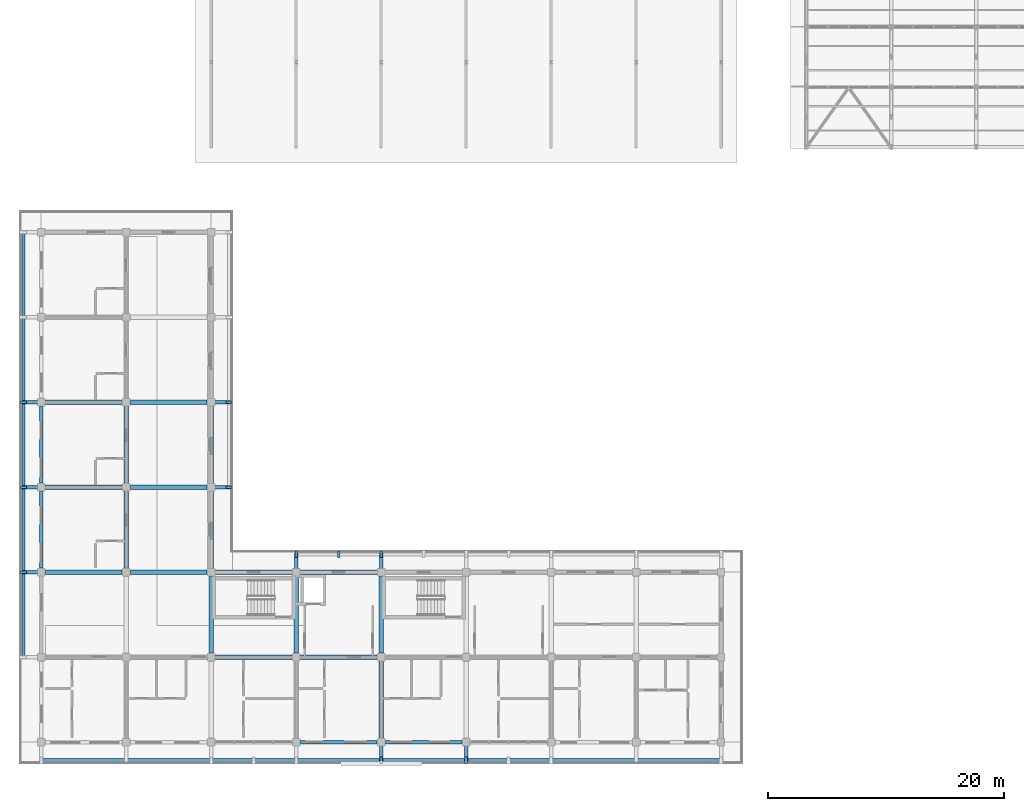
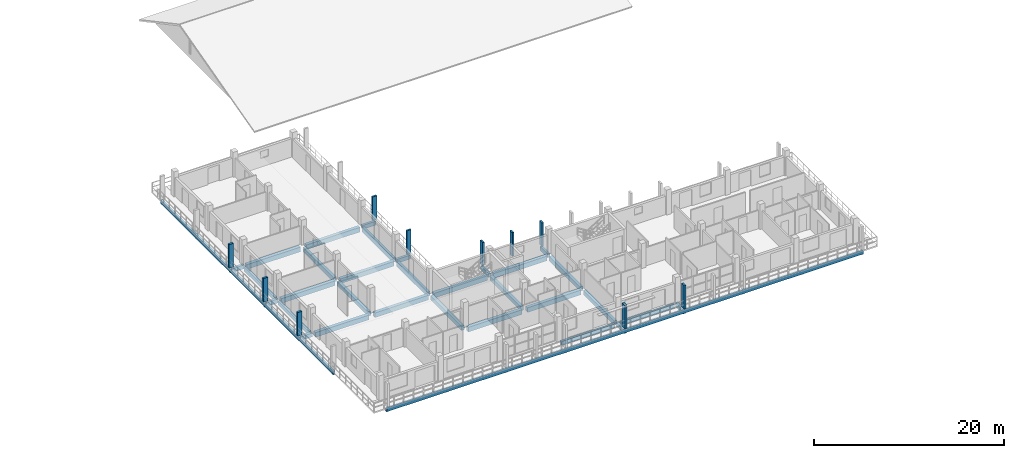
# One storey, part 19 of 157: 33 beams, 10 members.
"""IFC4 building model written with IfcOpenShell, lengths in metres."""

from ifc_helpers import new_model, si_unit, direction, frame, origin, origin_2d, place, context, subcontext, project, spatial, rectangle, extrude, material, material_profile, profile_set, type_object, element, save


model = new_model("IFC4")

# Units and contexts
model_context = context("Model", 3, precision=1e-05, world=origin(), true_north=direction((0.0, 1.0)))
body_context = subcontext(model_context, "Body", "Model", "MODEL_VIEW")
ifc_project = project(units=[si_unit("LENGTHUNIT", "METRE"), si_unit("AREAUNIT", "SQUARE_METRE"), si_unit("VOLUMEUNIT", "CUBIC_METRE"), si_unit("PLANEANGLEUNIT", "RADIAN"), si_unit("MASSUNIT", "GRAM", prefix="KILO")], contexts=[model_context])

# Site, building, storey
site_placement = place(None, origin())
site = spatial("IfcSite", under=ifc_project, at=site_placement, CompositionType="ELEMENT")
building_placement = place(site_placement, origin())
building = spatial("IfcBuilding", under=site, at=building_placement, Name="Suanplinth Sawtooth Commons", CompositionType="ELEMENT")
storey_placement = place(building_placement, frame((0.0, 0.0, 9.0)))
storey = spatial("IfcBuildingStorey", under=building, at=storey_placement, Name="L02", CompositionType="ELEMENT", Elevation=9.0)

# Beams
ifc_material_1 = material(Name="Precast concrete C40/50", Category="concrete")
ifc_material_profile_1 = material_profile(ifc_material_1, rectangle(XDim=0.39990234375, YDim=0.60009765625, at=origin_2d()), Name="PC-GDR 400x600")
ifc_profile_set_1 = profile_set([ifc_material_profile_1], Name="Precast concrete C40/50")
beam_type_1 = type_object("IfcBeamType", Name="B-05", PredefinedType="USERDEFINED", material=ifc_profile_set_1)
for number, where, z_axis, x_axis, name in (
    (1, (0.35009765625, 14.39990234375, -0.550048828125), (1.0, 0.0, 0.0), (0.0, 1.0, 0.0), "BMX-L02-D-0-2"),
    (2, (0.35009765625, 21.60009765625, -0.550048828125), (1.0, 0.0, 0.0), (0.0, 1.0, 0.0), "BMX-L02-D-0-3"),
    (3, (0.35009765625, 28.800048828125, -0.550048828125), (1.0, 0.0, 0.0), (0.0, 1.0, 0.0), "BMX-L02-D-0-4"),
    (4, (7.550048828125, 14.39990234375, -0.550048828125), (1.0, 0.0, 0.0), (0.0, 1.0, 0.0), "BMX-L02-D-1-2"),
    (5, (7.550048828125, 21.60009765625, -0.550048828125), (1.0, 0.0, 0.0), (0.0, 1.0, 0.0), "BMX-L02-D-1-3"),
    (6, (7.550048828125, 28.800048828125, -0.550048828125), (1.0, 0.0, 0.0), (0.0, 1.0, 0.0), "BMX-L02-D-1-4"),
    (7, (14.75, 7.199951171875, -0.550048828125), (1.0, 0.0, 0.0), (0.0, 1.0, 0.0), "BMX-L02-D-2-1"),
    (8, (14.75, 14.39990234375, -0.550048828125), (1.0, 0.0, 0.0), (0.0, 1.0, 0.0), "BMX-L02-D-2-2"),
    (9, (21.949951171875, 7.199951171875, -0.550048828125), (1.0, 0.0, 0.0), (0.0, 1.0, 0.0), "BMX-L02-D-3-1"),
    (10, (21.949951171875, 14.39990234375, -0.550048828125), (1.0, 0.0, 0.0), (0.0, 1.0, 0.0), "BMX-L02-D-3-2"),
):
    element("IfcBeam", number, at=place(storey_placement, frame(where, z_axis=z_axis, x_axis=x_axis)), inside=storey, type_object=beam_type_1, Name=name, ObjectType="GIRDER", PredefinedType="USERDEFINED", context=body_context, shape_type="SweptSolid", body=[
        extrude(rectangle(XDim=0.39990234375, YDim=0.60009765625, at=origin_2d()), origin(), (0.0, 0.0, 1.0), 6.5),
    ])
ifc_material_profile_2 = material_profile(ifc_material_1, rectangle(XDim=0.35009765625, YDim=0.550048828125, at=origin_2d()), Name="PC-BM 350x550")
ifc_profile_set_2 = profile_set([ifc_material_profile_2], Name="Precast concrete C40/50")
beam_type_2 = type_object("IfcBeamType", Name="B-06", PredefinedType="BEAM", material=ifc_profile_set_2)
for number, where, z_axis, x_axis, name in (
    (11, (7.199951171875, 14.75, -0.52490234375), (0.0, 1.0, 0.0), (-1.0, 0.0, 0.0), "BMY-L02-D-1-2"),
    (12, (7.199951171875, 21.949951171875, -0.52490234375), (0.0, 1.0, 0.0), (-1.0, 0.0, 0.0), "BMY-L02-D-1-3"),
    (13, (14.39990234375, 7.550048828125, -0.52490234375), (0.0, 1.0, 0.0), (-1.0, 0.0, 0.0), "BMY-L02-D-2-1"),
    (14, (14.39990234375, 14.75, -0.52490234375), (0.0, 1.0, 0.0), (-1.0, 0.0, 0.0), "BMY-L02-D-2-2"),
    (15, (14.39990234375, 21.949951171875, -0.52490234375), (0.0, 1.0, 0.0), (-1.0, 0.0, 0.0), "BMY-L02-D-2-3"),
    (16, (21.60009765625, 7.550048828125, -0.52490234375), (0.0, 1.0, 0.0), (-1.0, 0.0, 0.0), "BMY-L02-D-3-1"),
    (17, (28.800048828125, 0.35009765625, -0.52490234375), (0.0, 1.0, 0.0), (-1.0, 0.0, 0.0), "BMY-L02-D-4-0"),
    (18, (28.800048828125, 7.550048828125, -0.52490234375), (0.0, 1.0, 0.0), (-1.0, 0.0, 0.0), "BMY-L02-D-4-1"),
):
    element("IfcBeam", number, at=place(storey_placement, frame(where, z_axis=z_axis, x_axis=x_axis)), inside=storey, type_object=beam_type_2, Name=name, PredefinedType="BEAM", context=body_context, shape_type="SweptSolid", body=[
        extrude(rectangle(XDim=0.35009765625, YDim=0.550048828125, at=origin_2d()), origin(), (0.0, 0.0, 1.0), 6.5),
    ])
ifc_material_profile_3 = material_profile(ifc_material_1, rectangle(XDim=0.300048828125, YDim=0.5, at=origin_2d()), Name="PC-BM 300x500")
ifc_profile_set_3 = profile_set([ifc_material_profile_3], Name="Precast concrete C40/50")
beam_type_3 = type_object("IfcBeamType", Name="B-07", PredefinedType="BEAM", material=ifc_profile_set_3)
for number, where, z_axis, x_axis, name in (
    (19, (28.800048828125, 0.0, -0.429931640625), (0.0, -1.0, 0.0), (1.0, 0.0, 0.0), "Balcony Outrigger L02-D-S-4"),
    (20, (36.0, 0.0, -0.429931640625), (0.0, -1.0, 0.0), (1.0, 0.0, 0.0), "Balcony Outrigger L02-D-S-5"),
    (21, (0.0, 14.39990234375, -0.429931640625), (-1.0, 0.0, 0.0), (0.0, -1.0, 0.0), "Balcony Outrigger L02-D-W-2"),
    (22, (0.0, 21.60009765625, -0.429931640625), (-1.0, 0.0, 0.0), (0.0, -1.0, 0.0), "Balcony Outrigger L02-D-W-3"),
    (23, (0.0, 28.800048828125, -0.429931640625), (-1.0, 0.0, 0.0), (0.0, -1.0, 0.0), "Balcony Outrigger L02-D-W-4"),
):
    element("IfcBeam", number, at=place(storey_placement, frame(where, z_axis=z_axis, x_axis=x_axis)), inside=storey, type_object=beam_type_3, Name=name, PredefinedType="BEAM", context=body_context, shape_type="SweptSolid", body=[
        extrude(rectangle(XDim=0.300048828125, YDim=0.5, at=origin_2d()), origin(), (0.0, 0.0, 1.0), 1.639892578125),
    ])
for number, where, z_axis, x_axis, name in (
    (24, (21.60009765625, 14.39990234375, -0.425048828125), (0.0, 1.0, 0.0), (-1.0, 0.0, 0.0), "Balcony Outrigger L02-D-NC-3"),
    (25, (28.800048828125, 14.39990234375, -0.425048828125), (0.0, 1.0, 0.0), (-1.0, 0.0, 0.0), "Balcony Outrigger L02-D-NC-4"),
    (26, (14.39990234375, 21.60009765625, -0.425048828125), (1.0, 0.0, 0.0), (0.0, 1.0, 0.0), "Balcony Outrigger L02-D-EC-3"),
    (27, (14.39990234375, 28.800048828125, -0.425048828125), (1.0, 0.0, 0.0), (0.0, 1.0, 0.0), "Balcony Outrigger L02-D-EC-4"),
):
    element("IfcBeam", number, at=place(storey_placement, frame(where, z_axis=z_axis, x_axis=x_axis)), inside=storey, type_object=beam_type_3, Name=name, PredefinedType="BEAM", context=body_context, shape_type="SweptSolid", body=[
        extrude(rectangle(XDim=0.300048828125, YDim=0.5, at=origin_2d()), origin(), (0.0, 0.0, 1.0), 1.64013671875),
    ])
ifc_material_profile_4 = material_profile(ifc_material_1, rectangle(XDim=0.280029296875, YDim=0.52001953125, at=origin_2d()), Name="PC-SP 280x520")
ifc_profile_set_4 = profile_set([ifc_material_profile_4], Name="Precast concrete C40/50")
beam_type_4 = type_object("IfcBeamType", Name="B-08", PredefinedType="SPANDREL", material=ifc_profile_set_4)
for number, where, z_axis, x_axis, name in (
    (28, (21.949951171875, 0.0, -0.510009765625), (1.0, 0.0, 0.0), (0.0, 1.0, 0.0), "BMX-L02-D-3-0"),
    (29, (29.14990234375, 0.0, -0.510009765625), (1.0, 0.0, 0.0), (0.0, 1.0, 0.0), "BMX-L02-D-4-0"),
    (30, (0.0, 14.75, -0.510009765625), (0.0, 1.0, 0.0), (-1.0, 0.0, 0.0), "BMY-L02-D-0-2"),
    (31, (0.0, 21.949951171875, -0.510009765625), (0.0, 1.0, 0.0), (-1.0, 0.0, 0.0), "BMY-L02-D-0-3"),
):
    element("IfcBeam", number, at=place(storey_placement, frame(where, z_axis=z_axis, x_axis=x_axis)), inside=storey, type_object=beam_type_4, Name=name, PredefinedType="SPANDREL", context=body_context, shape_type="SweptSolid", body=[
        extrude(rectangle(XDim=0.280029296875, YDim=0.52001953125, at=origin_2d()), origin(), (0.0, 0.0, 1.0), 6.5),
    ])
ifc_material_profile_5 = material_profile(ifc_material_1, rectangle(XDim=0.25, YDim=0.449951171875, at=origin_2d()), Name="PC-SP 250x450")
ifc_profile_set_5 = profile_set([ifc_material_profile_5], Name="Precast concrete C40/50")
beam_type_5 = type_object("IfcBeamType", Name="B-09", PredefinedType="SPANDREL", material=ifc_profile_set_5)
beam_1_placement = place(storey_placement, frame((-0.14990234375, -1.52001953125, -0.405029296875), z_axis=(1.0, 0.0, 0.0), x_axis=(0.0, 1.0, 0.0)))
element("IfcBeam", 32, at=beam_1_placement, inside=storey, type_object=beam_type_5, Name="Balcony Edge Fascia L02-D-S", PredefinedType="SPANDREL", context=body_context, shape_type="SweptSolid", body=[
    extrude(rectangle(XDim=0.25, YDim=0.449951171875, at=origin_2d()), origin(), (0.0, 0.0, 1.0), 57.89990234375),
])
beam_2_placement = place(storey_placement, frame((-1.52001953125, 7.050048828125, -0.405029296875), z_axis=(0.0, 1.0, 0.0), x_axis=(-1.0, 0.0, 0.0)))
element("IfcBeam", 33, at=beam_2_placement, inside=storey, type_object=beam_type_5, Name="Balcony Edge Fascia L02-D-W", PredefinedType="SPANDREL", context=body_context, shape_type="SweptSolid", body=[
    extrude(rectangle(XDim=0.25, YDim=0.449951171875, at=origin_2d()), origin(), (0.0, 0.0, 1.0), 36.300048828125),
])

# Members
ifc_material_2 = material(Name="Pigmented precast concrete C40/50", Category="concrete")
ifc_material_profile_6 = material_profile(ifc_material_2, rectangle(XDim=0.25, YDim=0.5400390625, at=origin_2d()), Name="PC-FIN 250x540")
ifc_profile_set_6 = profile_set([ifc_material_profile_6], Name="Pigmented precast concrete C40/50")
member_type_1 = type_object("IfcMemberType", Name="M-11", PredefinedType="USERDEFINED", material=ifc_profile_set_6)
for number, where, z_axis, x_axis, name in (
    (34, (28.800048828125, -1.52001953125, 0.0), (0.0, 0.0, 1.0), (1.0, 0.0, 0.0), "Upright Solar Blade L02-D-S-05"),
    (35, (36.0, -1.52001953125, 0.0), (0.0, 0.0, 1.0), (1.0, 0.0, 0.0), "Upright Solar Blade L02-D-S-06"),
    (36, (-1.52001953125, 14.39990234375, 0.0), (0.0, 0.0, 1.0), (0.0, 1.0, 0.0), "Upright Solar Blade L02-D-W-11"),
    (37, (-1.52001953125, 21.60009765625, 0.0), (0.0, 0.0, 1.0), (0.0, 1.0, 0.0), "Upright Solar Blade L02-D-W-12"),
    (38, (-1.52001953125, 28.800048828125, 0.0), (0.0, 0.0, 1.0), (0.0, 1.0, 0.0), "Upright Solar Blade L02-D-W-13"),
):
    element("IfcMember", number, at=place(storey_placement, frame(where, z_axis=z_axis, x_axis=x_axis)), inside=storey, type_object=member_type_1, Name=name, ObjectType="SHADING FIN", PredefinedType="USERDEFINED", context=body_context, shape_type="SweptSolid", body=[
        extrude(rectangle(XDim=0.25, YDim=0.5400390625, at=origin_2d()), origin(), (0.0, 0.0, 1.0), 3.030029296875),
    ])
ifc_material_profile_7 = material_profile(ifc_material_2, rectangle(XDim=0.2099609375, YDim=0.52001953125, at=origin_2d()), Name="PC-FIN 210x520")
ifc_profile_set_7 = profile_set([ifc_material_profile_7], Name="Pigmented precast concrete C40/50")
member_type_2 = type_object("IfcMemberType", Name="M-12", PredefinedType="USERDEFINED", material=ifc_profile_set_7)
for number, where, z_axis, x_axis, name in (
    (39, (21.60009765625, 15.919921875, 0.0), (0.0, 0.0, 1.0), (1.0, 0.0, 0.0), "Upright Solar Blade L02-D-NC-16"),
    (40, (25.199951171875, 15.919921875, 0.0), (0.0, 0.0, 1.0), (1.0, 0.0, 0.0), "Upright Solar Blade L02-D-NC-17"),
    (41, (28.800048828125, 15.919921875, 0.0), (0.0, 0.0, 1.0), (1.0, 0.0, 0.0), "Upright Solar Blade L02-D-NC-18"),
    (42, (15.919921875, 21.60009765625, 0.0), (0.0, 0.0, 1.0), (0.0, 1.0, 0.0), "Upright Solar Blade L02-D-EC-25"),
    (43, (15.919921875, 28.800048828125, 0.0), (0.0, 0.0, 1.0), (0.0, 1.0, 0.0), "Upright Solar Blade L02-D-EC-26"),
):
    element("IfcMember", number, at=place(storey_placement, frame(where, z_axis=z_axis, x_axis=x_axis)), inside=storey, type_object=member_type_2, Name=name, ObjectType="SHADING FIN", PredefinedType="USERDEFINED", context=body_context, shape_type="SweptSolid", body=[
        extrude(rectangle(XDim=0.2099609375, YDim=0.52001953125, at=origin_2d()), origin(), (0.0, 0.0, 1.0), 3.030029296875),
    ])

save(model, "model.ifc")
